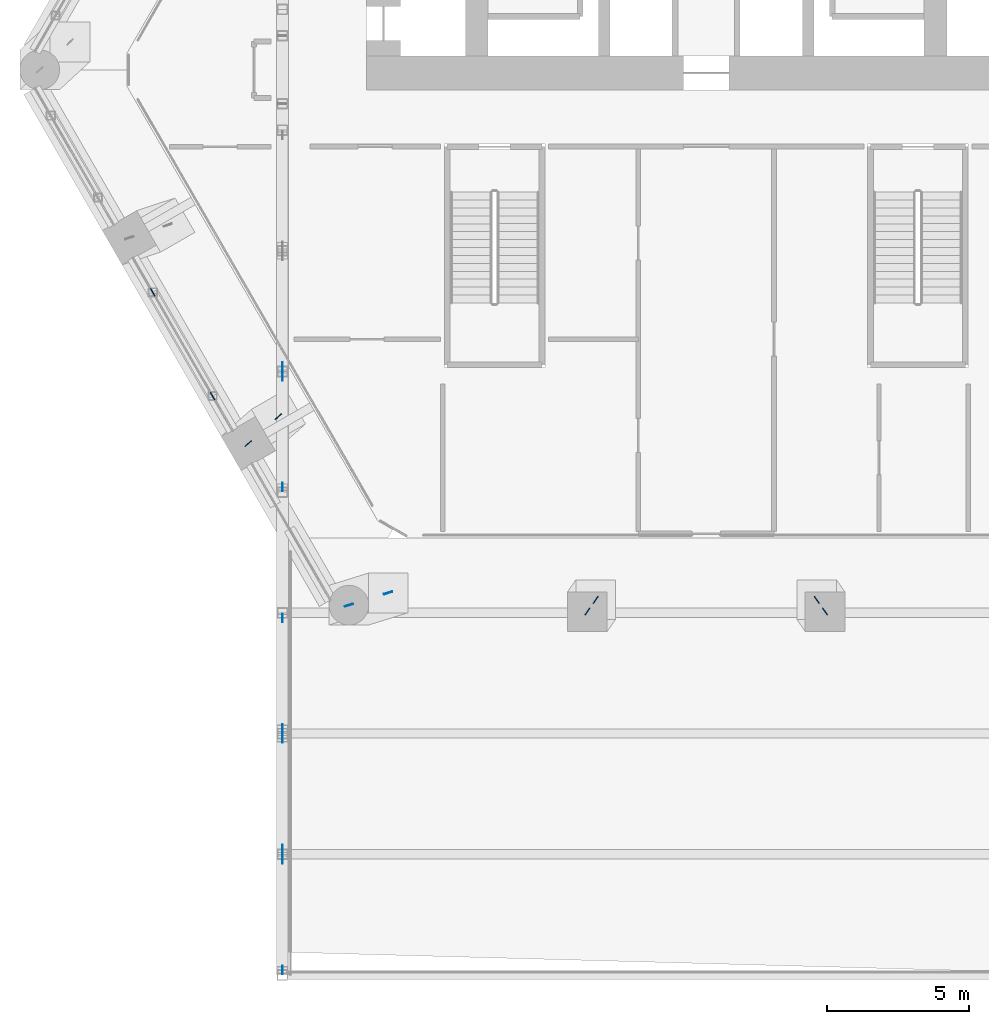
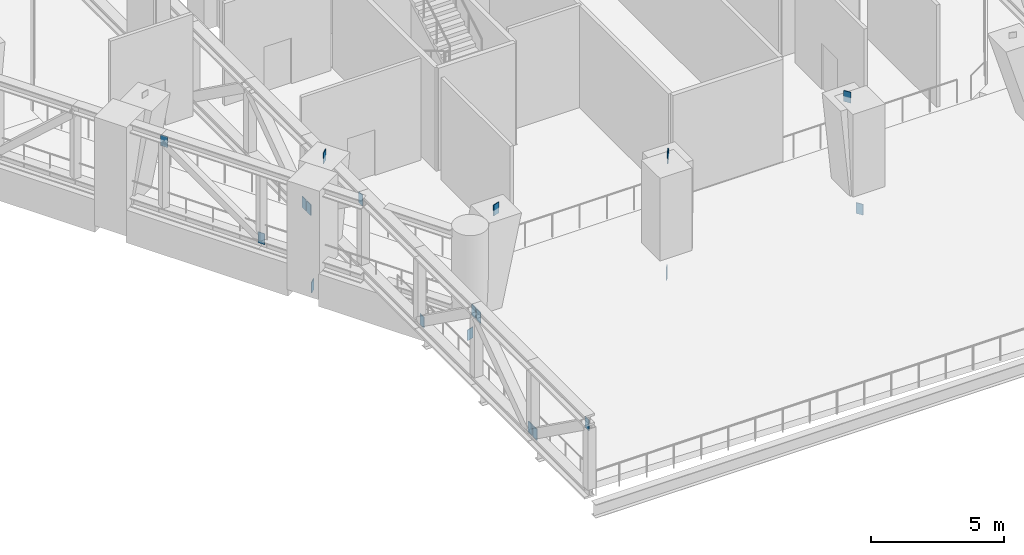
# One storey, part 11 of 20: 19 discrete accessories.
"""IFC4 building model written with IfcOpenShell, lengths in metres."""

from ifc_helpers import new_model, si_unit, direction, frame, origin, origin_2d, place, context, subcontext, project, spatial, rectangle, extrude, material, layer, layer_set, type_object, element, save


model = new_model("IFC4")

# Units and contexts
model_context = context("Model", 3, precision=1e-05, world=origin(), true_north=direction((0.0, 1.0)))
body_context = subcontext(model_context, "Body", "Model", "MODEL_VIEW")
ifc_project = project(units=[si_unit("LENGTHUNIT", "METRE"), si_unit("AREAUNIT", "SQUARE_METRE"), si_unit("VOLUMEUNIT", "CUBIC_METRE"), si_unit("PLANEANGLEUNIT", "RADIAN"), si_unit("MASSUNIT", "GRAM", prefix="KILO")], contexts=[model_context])

# Site, building, storey
site_placement = place(None, origin())
site = spatial("IfcSite", under=ifc_project, at=site_placement, CompositionType="ELEMENT")
building_placement = place(site_placement, origin())
building = spatial("IfcBuilding", under=site, at=building_placement, Name="Ostrander Bayou Hotel Tower", CompositionType="ELEMENT")
storey_placement = place(building_placement, frame((0.0, 0.0, 80.5)))
storey = spatial("IfcBuildingStorey", under=building, at=storey_placement, Name="L20", CompositionType="ELEMENT", Elevation=80.5)

# Discrete accessories
ifc_material = material(Name="Steel ASTM A572 Gr 50", Category="steel")
ifc_layer = layer(ifc_material, 0.030029296875)
ifc_layer_set = layer_set([ifc_layer], Name="GP1 gusset plate 30 mm")
discrete_accessory_type = type_object("IfcDiscreteAccessoryType", Name="GP1 gusset plate 30 mm", PredefinedType="BRACKET", material=ifc_layer_set)
for number, where, z_axis, x_axis, name in (
    (1, (-17.431884765625, -12.5068359375, 0.157470703125), (0.0, 0.0, 1.0), (-0.5, 0.866025403784, 0.0), "GP1 gusset plate belt 7"),
    (2, (-19.54736328125, -8.843017578125, 3.142578125), (0.0, 0.0, 1.0), (-0.5, 0.866025403784, 0.0), "GP1 gusset plate belt 8"),
    (3, (-14.965087890625, -11.460205078125, 0.247802734375), (0.0, 0.0, 1.0), (0.0, 1.0, 0.0), "GP1 gusset plate bar 15"),
    (4, (-14.965087890625, -11.815673828125, 0.247802734375), (0.0, 0.0, 1.0), (0.0, -1.0, 0.0), "GP1 gusset plate bar 17"),
    (5, (-14.965087890625, -15.722412109375, 3.05224609375), (0.0, 0.0, 1.0), (0.0, -1.0, 0.0), "GP1 gusset plate bar 18"),
    (6, (-14.965087890625, -20.340576171875, 0.247802734375), (0.0, 0.0, 1.0), (0.0, -1.0, 0.0), "GP1 gusset plate bar 19"),
    (7, (-14.965087890625, -24.247314453125, 3.05224609375), (0.0, 0.0, 1.0), (0.0, -1.0, 0.0), "GP1 gusset plate bar 20"),
    (8, (-14.965087890625, -28.509765625, 0.247802734375), (0.0, 0.0, 1.0), (0.0, 1.0, 0.0), "GP1 gusset plate bar 21"),
    (9, (-14.965087890625, -24.60302734375, 3.05224609375), (0.0, 0.0, 1.0), (0.0, 1.0, 0.0), "GP1 gusset plate bar 22"),
    (10, (-14.965087890625, -28.865478515625, 0.247802734375), (0.0, 0.0, 1.0), (0.0, -1.0, 0.0), "GP1 gusset plate bar 23"),
    (11, (-14.965087890625, -32.772216796875, 3.05224609375), (0.0, 0.0, 1.0), (0.0, -1.0, 0.0), "GP1 gusset plate bar 24"),
    (12, (-12.617431640625, -19.890380859375, -1.449951171875), (0.0, 0.0, 1.0), (0.954610162263, 0.297858083832, 0.0), "GP1 gusset plate belt 53"),
    (13, (-11.234619140625, -19.458740234375, 3.550048828125), (0.0, 0.0, 1.0), (0.954610162263, 0.297858083832, 0.0), "GP1 gusset plate belt 54"),
    (14, (-16.17529296875, -14.183349609375, -1.449951171875), (0.0, 0.0, 1.0), (0.747206821714, 0.664591578026, 0.0), "GP1 gusset plate belt 71"),
    (15, (-15.107421875, -13.2333984375, 3.550048828125), (0.0, 0.0, 1.0), (0.747206821714, 0.664591578026, 0.0), "GP1 gusset plate belt 72"),
    (16, (-4.1953125, -20.1181640625, -1.449951171875), (0.0, 0.0, 1.0), (0.568202851983, 0.822888521611, 0.0), "GP1 gusset plate belt 73"),
    (17, (-3.90673828125, -19.699951171875, 3.550048828125), (0.0, 0.0, 1.0), (0.568202851983, 0.822888521611, 0.0), "GP1 gusset plate belt 74"),
    (18, (4.1953125, -20.1181640625, -1.449951171875), (0.0, 0.0, 1.0), (-0.568202851983, 0.822888521611, 0.0), "GP1 gusset plate belt 75"),
    (19, (3.90673828125, -19.699951171875, 3.550048828125), (0.0, 0.0, 1.0), (-0.568202851983, 0.822888521611, 0.0), "GP1 gusset plate belt 76"),
):
    element("IfcDiscreteAccessory", number, at=place(storey_placement, frame(where, z_axis=z_axis, x_axis=x_axis)), inside=storey, type_object=discrete_accessory_type, Name=name, PredefinedType="BRACKET", context=body_context, shape_type="SweptSolid", body=[
        extrude(rectangle(XDim=0.300048828125, YDim=0.030029296875, at=origin_2d()), origin(), (0.0, 0.0, 1.0), 0.5),
    ])

save(model, "model.ifc")
